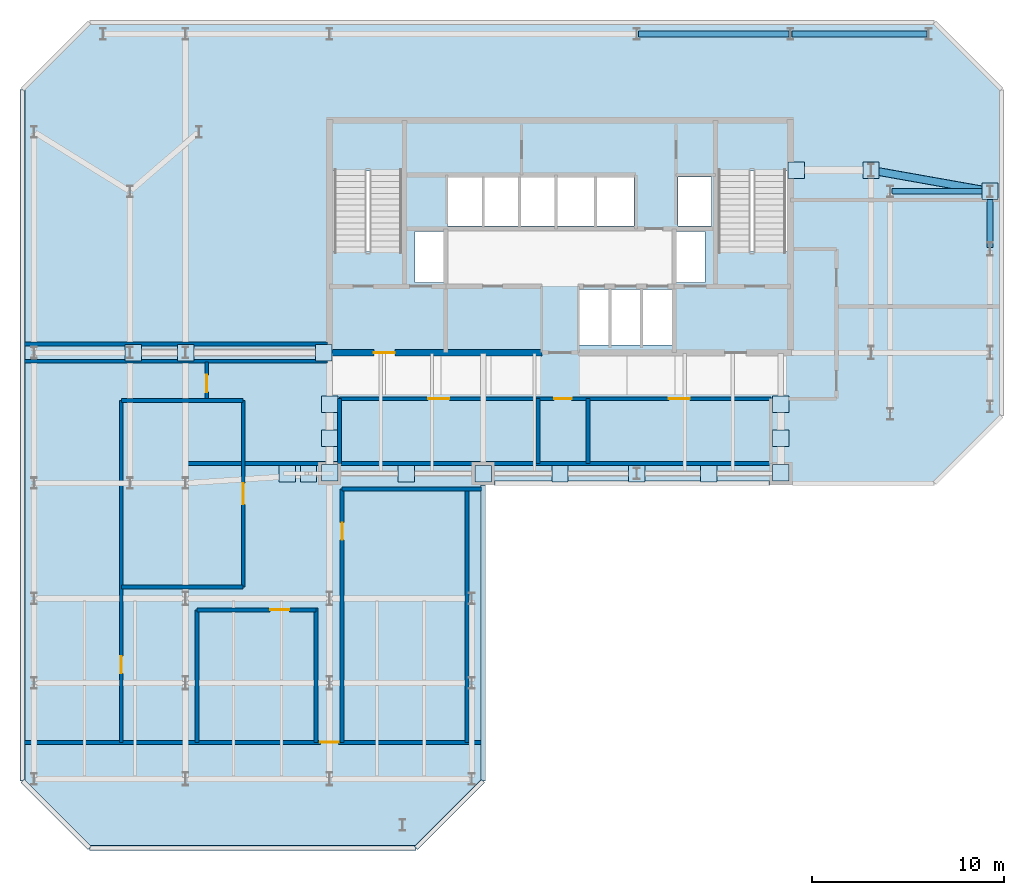
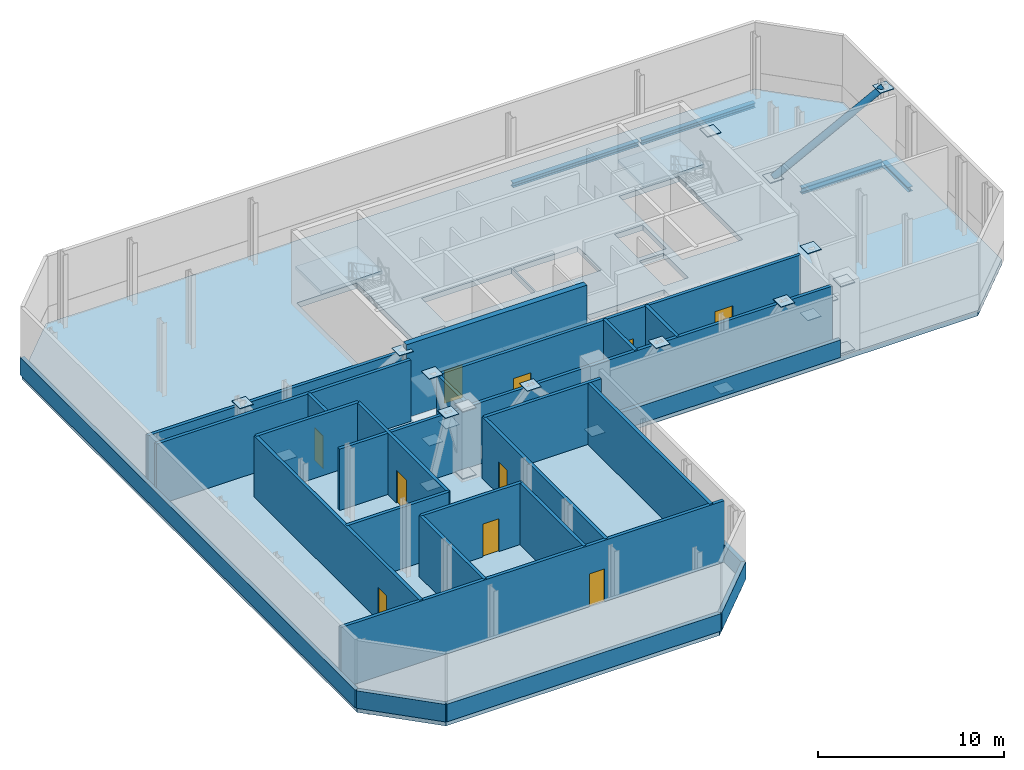
# One storey, part 4 of 9: 26 walls, 23 plates, 10 doors, 4 beams, 3 slabs, 1 member, 10 openings, 2 elements without a shape of their own.
"""IFC4 building model written with IfcOpenShell, lengths in metres."""

from ifc_helpers import new_model, si_unit, direction, frame, frame_2d, origin, origin_2d, place, context, subcontext, project, spatial, polyline, rectangle, hollow_circle, i_section, outline, extrude, material, layer, layer_set, material_profile, profile_set, type_object, element, fill, aggregate, save


model = new_model("IFC4")

# Units and contexts
model_context = context("Model", 3, precision=1e-05, world=origin(), true_north=direction((0.0, 1.0)))
body_context = subcontext(model_context, "Body", "Model", "MODEL_VIEW")
ifc_project = project(units=[si_unit("LENGTHUNIT", "METRE"), si_unit("AREAUNIT", "SQUARE_METRE"), si_unit("VOLUMEUNIT", "CUBIC_METRE"), si_unit("PLANEANGLEUNIT", "RADIAN"), si_unit("MASSUNIT", "GRAM", prefix="KILO")], contexts=[model_context])

# Site, building, storey
site_placement = place(None, origin())
site = spatial("IfcSite", under=ifc_project, at=site_placement, CompositionType="ELEMENT")
building_placement = place(site_placement, origin())
building = spatial("IfcBuilding", under=site, at=building_placement, Name="Catumbela Crestline Tower", CompositionType="ELEMENT")
storey_placement = place(building_placement, frame((0.0, 0.0, 144.0)))
storey = spatial("IfcBuildingStorey", under=building, at=storey_placement, Name="L37", CompositionType="ELEMENT", Elevation=144.0)

# Beam
ifc_material_1 = material(Name="Structural steel S355J2", Category="steel")
ifc_material_profile_1 = material_profile(ifc_material_1, i_section(OverallWidth=0.3, OverallDepth=0.39, WebThickness=0.011, FlangeThickness=0.019, FilletRadius=0.027, at=origin_2d()), Name="HEA 400")
ifc_profile_set_1 = profile_set([ifc_material_profile_1], Name="Structural steel S355J2")
beam_type_1 = type_object("IfcBeamType", Name="BG-HEA400", PredefinedType="BEAM", material=ifc_profile_set_1)
beam_1_placement = place(storey_placement, frame((45.28, 39.2, -0.545), z_axis=(1.0, 0.0, 0.0), x_axis=(0.0, 1.0, 0.0)))
element("IfcBeam", 1, at=beam_1_placement, inside=storey, type_object=beam_type_1, Name="L37 Beam BM-L37-N16", PredefinedType="BEAM", context=body_context, shape_type="SweptSolid", body=[
    extrude(i_section(OverallWidth=0.3, OverallDepth=0.39, WebThickness=0.011, FlangeThickness=0.019, FilletRadius=0.027, at=origin_2d()), origin(), (0.0, 0.0, 1.0), 5.04),
])

# Member
ifc_material_2 = material(Name="Structural steel S460M", Category="steel")
ifc_material_profile_2 = material_profile(ifc_material_2, hollow_circle(Radius=0.2032, WallThickness=0.025, at=origin_2d()), Name="CHS 406.4x25")
ifc_profile_set_2 = profile_set([ifc_material_profile_2], Name="Structural steel S460M")
member_type = type_object("IfcMemberType", Name="OB-406", PredefinedType="BRACE", material=ifc_profile_set_2)
member_placement = place(storey_placement, frame((44.2, 40.3, 0.01), z_axis=(0.805297358445, -0.142875337789, 0.575397951276), x_axis=(0.174691224621, 0.984623266047, 0.0)))
element("IfcMember", 2, at=member_placement, inside=storey, type_object=member_type, Name="L37 Outrigger and Belt Truss Diagonal OU-LE2", PredefinedType="BRACE", context=body_context, shape_type="SweptSolid", body=[
    extrude(hollow_circle(Radius=0.2032, WallThickness=0.025, at=origin_2d()), origin(), (0.0, 0.0, 1.0), 7.699),
])

# Beams
ifc_material_profile_3 = material_profile(ifc_material_1, i_section(OverallWidth=0.3, OverallDepth=0.31, WebThickness=0.009, FlangeThickness=0.0155, FilletRadius=0.027, at=origin_2d()), Name="HEA 320")
ifc_profile_set_3 = profile_set([ifc_material_profile_3], Name="Structural steel S355J2")
beam_type_2 = type_object("IfcBeamType", Name="BS-HEA320", PredefinedType="SPANDREL", material=ifc_profile_set_3)
beam_2_placement = place(storey_placement, frame((32.08, 47.4, -0.505), z_axis=(1.0, 0.0, 0.0), x_axis=(0.0, 1.0, 0.0)))
element("IfcBeam", 3, at=beam_2_placement, inside=storey, type_object=beam_type_2, Name="L37 Spandrel SP-L37-NF20", PredefinedType="SPANDREL", context=body_context, shape_type="SweptSolid", body=[
    extrude(i_section(OverallWidth=0.3, OverallDepth=0.31, WebThickness=0.009, FlangeThickness=0.0155, FilletRadius=0.027, at=origin_2d()), origin(), (0.0, 0.0, 1.0), 7.84),
])
beam_3_placement = place(storey_placement, frame((40.08, 47.4, -0.505), z_axis=(1.0, 0.0, 0.0), x_axis=(0.0, 1.0, 0.0)))
element("IfcBeam", 4, at=beam_3_placement, inside=storey, type_object=beam_type_2, Name="L37 Spandrel SP-L37-NF21", PredefinedType="SPANDREL", context=body_context, shape_type="SweptSolid", body=[
    extrude(i_section(OverallWidth=0.3, OverallDepth=0.31, WebThickness=0.009, FlangeThickness=0.0155, FilletRadius=0.027, at=origin_2d()), origin(), (0.0, 0.0, 1.0), 7.04),
])
beam_4_placement = place(storey_placement, frame((50.4, 36.28, -0.505), z_axis=(0.0, 1.0, 0.0), x_axis=(-1.0, 0.0, 0.0)))
element("IfcBeam", 5, at=beam_4_placement, inside=storey, type_object=beam_type_2, Name="L37 Spandrel SP-L37-SN36", PredefinedType="SPANDREL", context=body_context, shape_type="SweptSolid", body=[
    extrude(i_section(OverallWidth=0.3, OverallDepth=0.31, WebThickness=0.009, FlangeThickness=0.0155, FilletRadius=0.027, at=origin_2d()), origin(), (0.0, 0.0, 1.0), 2.84),
])

# Plates
ifc_layer_1 = layer(ifc_material_2, 0.04, Name="Structural steel S460M")
ifc_layer_set_1 = layer_set([ifc_layer_1], Name="Structural steel S460M")
plate_type = type_object("IfcPlateType", Name="GP-40", PredefinedType="USERDEFINED", material=ifc_layer_set_1)
for number, where, z_axis, x_axis, name in (
    (6, (16.0, 28.12, 4.4), (0.0, 0.0, 1.0), (1.0, 0.0, 0.0), "L37 Outrigger Node Gusset Plate OU-W1"),
    (7, (16.0, 24.55, 0.0), (0.0, 0.0, 1.0), (1.0, 0.0, 0.0), "L37 Outrigger Node Gusset Plate OU-W1-END"),
    (8, (16.0, 28.12, 0.0), (0.0, 0.0, 1.0), (1.0, 0.0, 0.0), "L37 Outrigger Node Gusset Plate OU-W2A"),
    (9, (16.0, 24.55, 4.4), (0.0, 0.0, 1.0), (1.0, 0.0, 0.0), "L37 Outrigger Node Gusset Plate OU-W2B-END"),
    (10, (39.5, 28.12, 4.4), (0.0, 0.0, 1.0), (1.0, 0.0, 0.0), "L37 Outrigger Node Gusset Plate OU-E1"),
    (11, (39.5, 24.55, 0.0), (0.0, 0.0, 1.0), (1.0, 0.0, 0.0), "L37 Outrigger Node Gusset Plate OU-E1-END"),
    (12, (39.5, 28.12, 0.0), (0.0, 0.0, 1.0), (1.0, 0.0, 0.0), "L37 Outrigger Node Gusset Plate OU-E2A"),
    (13, (39.5, 24.55, 4.4), (0.0, 0.0, 1.0), (1.0, 0.0, 0.0), "L37 Outrigger Node Gusset Plate OU-E2B-END"),
    (14, (15.7, 30.8, 4.4), (0.0, 0.0, 1.0), (1.0, 0.0, 0.0), "L37 Outrigger Node Gusset Plate OU-LW1"),
    (15, (8.5, 30.8, 0.0), (0.0, 0.0, 1.0), (1.0, 0.0, 0.0), "L37 Outrigger Node Gusset Plate OU-LW1-END"),
    (16, (5.78, 30.8, 4.4), (0.0, 0.0, 1.0), (1.0, 0.0, 0.0), "L37 Outrigger Node Gusset Plate OU-LW2-END"),
    (17, (40.3, 40.3, 4.4), (0.0, 0.0, 1.0), (1.0, 0.0, 0.0), "L37 Outrigger Node Gusset Plate OU-LE1"),
    (18, (44.2, 40.3, 0.0), (0.0, 0.0, 1.0), (1.0, 0.0, 0.0), "L37 Outrigger Node Gusset Plate OU-LE1-END"),
    (19, (50.4, 39.2, 4.4), (0.0, 0.0, 1.0), (1.0, 0.0, 0.0), "L37 Outrigger Node Gusset Plate OU-LE2-END"),
    (20, (13.8, 24.5, 0.0), (0.0, 0.0, 1.0), (1.0, 0.0, 0.0), "L37 Outrigger Node Gusset Plate BT-S1"),
    (21, (14.9, 24.5, 4.4), (0.0, 0.0, 1.0), (1.0, 0.0, 0.0), "L37 Outrigger Node Gusset Plate BT-S1-END"),
    (22, (20.0, 24.5, 4.4), (0.0, 0.0, 1.0), (1.0, 0.0, 0.0), "L37 Outrigger Node Gusset Plate BT-S3-END"),
    (23, (24.0, 24.5, 0.0), (0.0, 0.0, 1.0), (1.0, 0.0, 0.0), "L37 Outrigger Node Gusset Plate BT-S4-END"),
    (24, (28.0, 24.5, 4.4), (0.0, 0.0, 1.0), (1.0, 0.0, 0.0), "L37 Outrigger Node Gusset Plate BT-S5-END"),
    (25, (32.0, 24.5, 0.0), (0.0, 0.0, 1.0), (1.0, 0.0, 0.0), "L37 Outrigger Node Gusset Plate BT-S6-END"),
    (26, (35.75, 24.5, 4.4), (0.0, 0.0, 1.0), (1.0, 0.0, 0.0), "L37 Outrigger Node Gusset Plate BT-S7-END"),
    (27, (16.0, 26.335, 2.205), (0.0, 0.0, 1.0), (1.0, 0.0, 0.0), "L37 Outrigger X-Brace Crossing Gusset Plate WX"),
    (28, (39.5, 26.335, 2.205), (0.0, 0.0, 1.0), (1.0, 0.0, 0.0), "L37 Outrigger X-Brace Crossing Gusset Plate EX"),
):
    element("IfcPlate", number, at=place(storey_placement, frame(where, z_axis=z_axis, x_axis=x_axis)), inside=storey, type_object=plate_type, Name=name, ObjectType="GUSSET", PredefinedType="USERDEFINED", context=body_context, shape_type="SweptSolid", body=[
        extrude(rectangle(XDim=0.85, YDim=0.85, at=origin_2d()), origin(), (0.0, 0.0, 1.0), 0.04),
    ])

# Stair, slab
ifc_material_3 = material(Name="Concrete C45/55", Category="concrete")
stair_type = type_object("IfcStairType", Name="ST-DLG", PredefinedType="HALF_TURN_STAIR", material=ifc_material_3)
stair_1_placement = place(storey_placement, origin())
stair_1 = element("IfcStair", 29, at=stair_1_placement, inside=storey, type_object=stair_type, Name="L37 West Core Pressurised Exit Stair ST-01", PredefinedType="HALF_TURN_STAIR")
ifc_layer_2 = layer(ifc_material_3, 0.2, Name="Concrete C45/55")
ifc_layer_set_2 = layer_set([ifc_layer_2], Name="Concrete C45/55")
slab_type_1 = type_object("IfcSlabType", Name="SL-LND", PredefinedType="LANDING", material=ifc_layer_set_2)
slab_1_placement = place(storey_placement, frame((0.0, 0.0, 2.2)))
slab_1 = element("IfcSlab", 30, at=slab_1_placement, type_object=slab_type_1, Name="ST-01 landing 1", PredefinedType="LANDING", context=body_context, shape_type="SweptSolid", body=[
    extrude(outline(polyline([(19.91, 40.26), (19.91, 42.96), (16.09, 42.96), (16.09, 40.26), (19.91, 40.26)])), origin(), (0.0, 0.0, 1.0), 0.2),
])
aggregate(stair_1, [slab_1])

stair_2_placement = place(storey_placement, origin())
stair_2 = element("IfcStair", 31, at=stair_2_placement, inside=storey, type_object=stair_type, Name="L37 East Core Pressurised Exit Stair ST-02", PredefinedType="HALF_TURN_STAIR")
slab_2_placement = place(storey_placement, frame((0.0, 0.0, 2.2)))
slab_2 = element("IfcSlab", 32, at=slab_2_placement, type_object=slab_type_1, Name="ST-02 landing 1", PredefinedType="LANDING", context=body_context, shape_type="SweptSolid", body=[
    extrude(outline(polyline([(39.91, 40.26), (39.91, 42.96), (36.09, 42.96), (36.09, 40.26), (39.91, 40.26)])), origin(), (0.0, 0.0, 1.0), 0.2),
])
aggregate(stair_2, [slab_2])

# Slab
ifc_material_4 = material(Name="Concrete C50/60", Category="concrete")
ifc_layer_3 = layer(ifc_material_4, 0.35, Name="Concrete C50/60")
ifc_layer_set_3 = layer_set([ifc_layer_3], Name="Concrete C50/60")
slab_type_2 = type_object("IfcSlabType", Name="SL-350M", PredefinedType="FLOOR", material=ifc_layer_set_3)
slab_3_placement = place(storey_placement, frame((0.0, 0.0, -0.35)))
element("IfcSlab", 33, at=slab_3_placement, inside=storey, type_object=slab_type_2, Name="L37 Structural Floor Slab", PredefinedType="FLOOR", context=body_context, shape_type="SweptSolid", body=[
    extrude(outline(polyline([(3.5, 5.0), (20.5, 5.0), (24.0, 8.5), (24.0, 24.0), (47.5, 24.0), (51.0, 27.5), (51.0, 44.5), (47.5, 48.0), (3.5, 48.0), (0.0, 44.5), (0.0, 8.5), (3.5, 5.0)]), holes=[polyline([(16.13, 36.08), (19.87, 36.08), (19.87, 42.92), (16.13, 42.92), (16.13, 36.08)]), polyline([(36.13, 36.08), (39.87, 36.08), (39.87, 42.92), (36.13, 42.92), (36.13, 36.08)]), polyline([(29.0, 31.2), (33.85, 31.2), (33.85, 34.1), (29.0, 34.1), (29.0, 31.2)]), polyline([(22.15, 37.4), (27.75, 37.4), (27.75, 39.95), (22.15, 39.95), (22.15, 37.4)]), polyline([(27.85, 37.4), (31.85, 37.4), (31.85, 39.95), (27.85, 39.95), (27.85, 37.4)]), polyline([(20.45, 34.45), (21.95, 34.45), (21.95, 37.1), (20.45, 37.1), (20.45, 34.45)]), polyline([(34.05, 34.45), (35.55, 34.45), (35.55, 37.1), (34.05, 37.1), (34.05, 34.45)]), polyline([(34.15, 37.4), (35.9, 37.4), (35.9, 39.95), (34.15, 39.95), (34.15, 37.4)])]), origin(), (0.0, 0.0, 1.0), 0.35),
])

# Wall, opening, door
ifc_layer_4 = layer(ifc_material_4, 0.35, Name="Concrete C50/60")
ifc_layer_set_4 = layer_set([ifc_layer_4], Name="Concrete C50/60")
wall_type_1 = type_object("IfcWallType", Name="CW-350B", PredefinedType="SHEAR", material=ifc_layer_set_4)
wall_1_placement = place(storey_placement, frame((15.85, 30.8, 0.0), z_axis=(0.0, 0.0, 1.0), x_axis=(1.0, 0.0, 0.0)))
wall_1 = element("IfcWall", 34, at=wall_1_placement, inside=storey, type_object=wall_type_1, Name="L37 Structural Core Shear Wall SW", PredefinedType="SHEAR", context=body_context, shape_type="SweptSolid", body=[
    extrude(rectangle(XDim=11.2, YDim=0.35, at=frame_2d((5.6, 0.0))), origin(), (0.0, 0.0, 1.0), 4.8),
])
opening_1_placement = place(wall_1_placement, frame((2.45, 0.0, 0.0)))
opening_1 = element("IfcOpeningElement", 35, at=opening_1_placement, cuts=wall_1, Name="Opening DF9-110", PredefinedType="OPENING", context=body_context, shape_type="SweptSolid", body=[
    extrude(rectangle(XDim=1.1, YDim=2.15, at=frame_2d((0.55, 1.075))), frame((0.0, 0.185, 0.0), z_axis=(0.0, -1.0, 0.0), x_axis=(1.0, 0.0, 0.0)), (0.0, 0.0, 1.0), 0.37),
])
ifc_material_5 = material(Name="Stainless steel EN 1.4401", Category="steel")
door_type_1 = type_object("IfcDoorType", Name="DF9-110", OperationType="NOTDEFINED", PredefinedType="DOOR", material=ifc_material_5)
door_1_placement = place(opening_1_placement, origin())
door_1 = element("IfcDoor", 36, at=door_1_placement, inside=storey, type_object=door_type_1, Name="L37 Interior Door DR-L37-FFW-S", OperationType="SINGLE_SWING_LEFT", OverallHeight=2.15, OverallWidth=1.1, PredefinedType="DOOR", context=body_context, shape_type="SweptSolid", body=[
    extrude(rectangle(XDim=1.1, YDim=2.15, at=frame_2d((0.55, 1.075))), frame((0.0, 0.025, 0.0), z_axis=(0.0, -1.0, 0.0), x_axis=(1.0, 0.0, 0.0)), (0.0, 0.0, 1.0), 0.05),
])
fill(opening_1, door_1)

# Walls
ifc_material_6 = material(Name="Acoustic gypsum and mineral-wool partition")
ifc_layer_5 = layer(ifc_material_6, 0.2, Name="Acoustic gypsum and mineral-wool partition")
ifc_layer_set_5 = layer_set([ifc_layer_5], Name="Acoustic gypsum and mineral-wool partition")
wall_type_2 = type_object("IfcWallType", Name="WC-200", PredefinedType="PARTITIONING", material=ifc_layer_set_5)
wall_2_placement = place(storey_placement, frame((8.4, 25.02, 0.0), z_axis=(0.0, 0.0, 1.0), x_axis=(1.0, 0.0, 0.0)))
element("IfcWall", 37, at=wall_2_placement, inside=storey, type_object=wall_type_2, Name="L37 Interior Partition PW-L37-BTCAV-N", PredefinedType="PARTITIONING", context=body_context, shape_type="SweptSolid", body=[
    extrude(rectangle(XDim=30.6, YDim=0.2, at=frame_2d((15.3, 0.0))), origin(), (0.0, 0.0, 1.0), 4.02),
])
wall_3_placement = place(storey_placement, frame((16.52, 25.02, 0.0), z_axis=(0.0, 0.0, 1.0), x_axis=(0.0, 1.0, 0.0)))
element("IfcWall", 38, at=wall_3_placement, inside=storey, type_object=wall_type_2, Name="L37 Interior Partition PW-L37-OUWCAV-E", PredefinedType="PARTITIONING", context=body_context, shape_type="SweptSolid", body=[
    extrude(rectangle(XDim=3.38, YDim=0.2, at=frame_2d((1.69, 0.0))), origin(), (0.0, 0.0, 1.0), 4.02),
])
for number, where, z_axis, x_axis, name in (
    (39, (0.1, 30.35, 0.0), (0.0, 0.0, 1.0), (1.0, 0.0, 0.0), "L37 Interior Partition PW-L37-OULWCAV-S"),
    (40, (0.1, 31.25, 0.0), (0.0, 0.0, 1.0), (1.0, 0.0, 0.0), "L37 Interior Partition PW-L37-OULWCAV-N"),
):
    element("IfcWall", number, at=place(storey_placement, frame(where, z_axis=z_axis, x_axis=x_axis)), inside=storey, type_object=wall_type_2, Name=name, PredefinedType="PARTITIONING", context=body_context, shape_type="SweptSolid", body=[
        extrude(rectangle(XDim=15.8, YDim=0.2, at=frame_2d((7.9, 0.0))), origin(), (0.0, 0.0, 1.0), 4.02),
    ])
for number, where, z_axis, x_axis, name in (
    (41, (26.85, 25.02, 0.0), (0.0, 0.0, 1.0), (0.0, 1.0, 0.0), "L37 Interior Partition PW-L37-REFW-E"),
    (42, (29.45, 25.02, 0.0), (0.0, 0.0, 1.0), (0.0, 1.0, 0.0), "L37 Interior Partition PW-L37-REFE-W"),
):
    element("IfcWall", number, at=place(storey_placement, frame(where, z_axis=z_axis, x_axis=x_axis)), inside=storey, type_object=wall_type_2, Name=name, PredefinedType="PARTITIONING", context=body_context, shape_type="SweptSolid", body=[
        extrude(rectangle(XDim=3.38, YDim=0.2, at=frame_2d((1.69, 0.0))), origin(), (0.0, 0.0, 1.0), 4.02),
    ])

# Wall, openings, doors
wall_4_placement = place(storey_placement, frame((16.52, 28.4, 0.0), z_axis=(0.0, 0.0, 1.0), x_axis=(1.0, 0.0, 0.0)))
wall_4 = element("IfcWall", 43, at=wall_4_placement, inside=storey, type_object=wall_type_2, Name="L37 Interior Partition PW-L37-REFW", PredefinedType="PARTITIONING", context=body_context, shape_type="SweptSolid", body=[
    extrude(rectangle(XDim=22.46, YDim=0.2, at=frame_2d((11.23, 0.0))), origin(), (0.0, 0.0, 1.0), 4.02),
])
opening_2_placement = place(wall_4_placement, frame((4.615, 0.0, 0.0)))
opening_2 = element("IfcOpeningElement", 44, at=opening_2_placement, cuts=wall_4, Name="Opening DF9-110", PredefinedType="OPENING", context=body_context, shape_type="SweptSolid", body=[
    extrude(rectangle(XDim=1.1, YDim=2.15, at=frame_2d((0.55, 1.075))), frame((0.0, 0.11, 0.0), z_axis=(0.0, -1.0, 0.0), x_axis=(1.0, 0.0, 0.0)), (0.0, 0.0, 1.0), 0.22),
])
opening_3_placement = place(wall_4_placement, frame((11.18, 0.0, 0.0)))
opening_3 = element("IfcOpeningElement", 45, at=opening_3_placement, cuts=wall_4, Name="Opening DF9-090", PredefinedType="OPENING", context=body_context, shape_type="SweptSolid", body=[
    extrude(rectangle(XDim=0.9, YDim=2.15, at=frame_2d((0.45, 1.075))), frame((0.0, 0.11, 0.0), z_axis=(0.0, -1.0, 0.0), x_axis=(1.0, 0.0, 0.0)), (0.0, 0.0, 1.0), 0.22),
])
opening_4_placement = place(wall_4_placement, frame((17.145, 0.0, 0.0)))
opening_4 = element("IfcOpeningElement", 46, at=opening_4_placement, cuts=wall_4, Name="Opening DF9-110", PredefinedType="OPENING", context=body_context, shape_type="SweptSolid", body=[
    extrude(rectangle(XDim=1.1, YDim=2.15, at=frame_2d((0.55, 1.075))), frame((0.0, 0.11, 0.0), z_axis=(0.0, -1.0, 0.0), x_axis=(1.0, 0.0, 0.0)), (0.0, 0.0, 1.0), 0.22),
])
door_type_2 = type_object("IfcDoorType", Name="DF9-090", OperationType="NOTDEFINED", PredefinedType="DOOR", material=ifc_material_5)
door_2_placement = place(opening_3_placement, origin())
door_2 = element("IfcDoor", 47, at=door_2_placement, inside=storey, type_object=door_type_2, Name="L37 Interior Door DR-L37-CHIL1", OperationType="SINGLE_SWING_LEFT", OverallHeight=2.15, OverallWidth=0.9, PredefinedType="DOOR", context=body_context, shape_type="SweptSolid", body=[
    extrude(rectangle(XDim=0.9, YDim=2.15, at=frame_2d((0.45, 1.075))), frame((0.0, 0.025, 0.0), z_axis=(0.0, -1.0, 0.0), x_axis=(1.0, 0.0, 0.0)), (0.0, 0.0, 1.0), 0.05),
])
fill(opening_3, door_2)
door_3_placement = place(opening_2_placement, origin())
door_3 = element("IfcDoor", 48, at=door_3_placement, inside=storey, type_object=door_type_1, Name="L37 Interior Door DR-L37-REFW", OperationType="SINGLE_SWING_LEFT", OverallHeight=2.15, OverallWidth=1.1, PredefinedType="DOOR", context=body_context, shape_type="SweptSolid", body=[
    extrude(rectangle(XDim=1.1, YDim=2.15, at=frame_2d((0.55, 1.075))), frame((0.0, 0.025, 0.0), z_axis=(0.0, -1.0, 0.0), x_axis=(1.0, 0.0, 0.0)), (0.0, 0.0, 1.0), 0.05),
])
fill(opening_2, door_3)
door_4_placement = place(opening_4_placement, origin())
door_4 = element("IfcDoor", 49, at=door_4_placement, inside=storey, type_object=door_type_1, Name="L37 Interior Door DR-L37-REFE", OperationType="SINGLE_SWING_RIGHT", OverallHeight=2.15, OverallWidth=1.1, PredefinedType="DOOR", context=body_context, shape_type="SweptSolid", body=[
    extrude(rectangle(XDim=1.1, YDim=2.15, at=frame_2d((0.55, 1.075))), frame((0.0, 0.025, 0.0), z_axis=(0.0, -1.0, 0.0), x_axis=(1.0, 0.0, 0.0)), (0.0, 0.0, 1.0), 0.05),
])
fill(opening_4, door_4)

# Walls
for number, where, z_axis, x_axis, name in (
    (50, (5.15, 28.3, 0.0), (0.0, 0.0, 1.0), (1.0, 0.0, 0.0), "L37 Interior Partition PW-L37-REFS1-N"),
    (51, (5.15, 18.6, 0.0), (0.0, 0.0, 1.0), (1.0, 0.0, 0.0), "L37 Interior Partition PW-L37-REFS1-S"),
):
    element("IfcWall", number, at=place(storey_placement, frame(where, z_axis=z_axis, x_axis=x_axis)), inside=storey, type_object=wall_type_2, Name=name, PredefinedType="PARTITIONING", context=body_context, shape_type="SweptSolid", body=[
        extrude(rectangle(XDim=6.35, YDim=0.2, at=frame_2d((3.175, 0.0))), origin(), (0.0, 0.0, 1.0), 4.02),
    ])

# Wall, opening, door
wall_5_placement = place(storey_placement, frame((5.15, 10.5, 0.0), z_axis=(0.0, 0.0, 1.0), x_axis=(0.0, 1.0, 0.0)))
wall_5 = element("IfcWall", 52, at=wall_5_placement, inside=storey, type_object=wall_type_2, Name="L37 Interior Partition PW-L37-REFS1-W", PredefinedType="PARTITIONING", context=body_context, shape_type="SweptSolid", body=[
    extrude(rectangle(XDim=17.8, YDim=0.2, at=frame_2d((8.9, 0.0))), origin(), (0.0, 0.0, 1.0), 4.02),
])
opening_5_placement = place(wall_5_placement, frame((3.6, 0.0, 0.0)))
opening_5 = element("IfcOpeningElement", 53, at=opening_5_placement, cuts=wall_5, Name="Opening DF9-090", PredefinedType="OPENING", context=body_context, shape_type="SweptSolid", body=[
    extrude(rectangle(XDim=0.9, YDim=2.15, at=frame_2d((0.45, 1.075))), frame((0.0, 0.11, 0.0), z_axis=(0.0, -1.0, 0.0), x_axis=(1.0, 0.0, 0.0)), (0.0, 0.0, 1.0), 0.22),
])
door_5_placement = place(opening_5_placement, origin())
door_5 = element("IfcDoor", 54, at=door_5_placement, inside=storey, type_object=door_type_2, Name="L37 Interior Door DR-L37-WPL1", OperationType="SINGLE_SWING_LEFT", OverallHeight=2.15, OverallWidth=0.9, PredefinedType="DOOR", context=body_context, shape_type="SweptSolid", body=[
    extrude(rectangle(XDim=0.9, YDim=2.15, at=frame_2d((0.45, 1.075))), frame((0.0, 0.025, 0.0), z_axis=(0.0, -1.0, 0.0), x_axis=(1.0, 0.0, 0.0)), (0.0, 0.0, 1.0), 0.05),
])
fill(opening_5, door_5)

wall_6_placement = place(storey_placement, frame((11.5, 18.6, 0.0), z_axis=(0.0, 0.0, 1.0), x_axis=(0.0, 1.0, 0.0)))
wall_6 = element("IfcWall", 55, at=wall_6_placement, inside=storey, type_object=wall_type_2, Name="L37 Interior Partition PW-L37-REFS1-E", PredefinedType="PARTITIONING", context=body_context, shape_type="SweptSolid", body=[
    extrude(rectangle(XDim=9.7, YDim=0.2, at=frame_2d((4.85, 0.0))), origin(), (0.0, 0.0, 1.0), 4.02),
])
opening_6_placement = place(wall_6_placement, frame((4.3, 0.0, 0.0)))
opening_6 = element("IfcOpeningElement", 56, at=opening_6_placement, cuts=wall_6, Name="Opening DF9-110", PredefinedType="OPENING", context=body_context, shape_type="SweptSolid", body=[
    extrude(rectangle(XDim=1.1, YDim=2.15, at=frame_2d((0.55, 1.075))), frame((0.0, 0.11, 0.0), z_axis=(0.0, -1.0, 0.0), x_axis=(1.0, 0.0, 0.0)), (0.0, 0.0, 1.0), 0.22),
])
door_6_placement = place(opening_6_placement, origin())
door_6 = element("IfcDoor", 57, at=door_6_placement, inside=storey, type_object=door_type_1, Name="L37 Interior Door DR-L37-REFS1", OperationType="SINGLE_SWING_LEFT", OverallHeight=2.15, OverallWidth=1.1, PredefinedType="DOOR", context=body_context, shape_type="SweptSolid", body=[
    extrude(rectangle(XDim=1.1, YDim=2.15, at=frame_2d((0.55, 1.075))), frame((0.0, 0.025, 0.0), z_axis=(0.0, -1.0, 0.0), x_axis=(1.0, 0.0, 0.0)), (0.0, 0.0, 1.0), 0.05),
])
fill(opening_6, door_6)

# Walls
wall_7_placement = place(storey_placement, frame((16.65, 23.7, 0.0), z_axis=(0.0, 0.0, 1.0), x_axis=(1.0, 0.0, 0.0)))
element("IfcWall", 58, at=wall_7_placement, inside=storey, type_object=wall_type_2, Name="L37 Interior Partition PW-L37-REFS2-N", PredefinedType="PARTITIONING", context=body_context, shape_type="SweptSolid", body=[
    extrude(rectangle(XDim=7.25, YDim=0.2, at=frame_2d((3.625, 0.0))), origin(), (0.0, 0.0, 1.0), 4.02),
])
wall_8_placement = place(storey_placement, frame((23.15, 10.5, 0.0), z_axis=(0.0, 0.0, 1.0), x_axis=(0.0, 1.0, 0.0)))
element("IfcWall", 59, at=wall_8_placement, inside=storey, type_object=wall_type_2, Name="L37 Interior Partition PW-L37-REFS2-E", PredefinedType="PARTITIONING", context=body_context, shape_type="SweptSolid", body=[
    extrude(rectangle(XDim=13.2, YDim=0.2, at=frame_2d((6.6, 0.0))), origin(), (0.0, 0.0, 1.0), 4.02),
])

# Wall, opening, door
wall_9_placement = place(storey_placement, frame((0.1, 10.5, 0.0), z_axis=(0.0, 0.0, 1.0), x_axis=(1.0, 0.0, 0.0)))
wall_9 = element("IfcWall", 60, at=wall_9_placement, inside=storey, type_object=wall_type_2, Name="L37 Interior Partition PW-L37-REFS2-S", PredefinedType="PARTITIONING", context=body_context, shape_type="SweptSolid", body=[
    extrude(rectangle(XDim=23.8, YDim=0.2, at=frame_2d((11.9, 0.0))), origin(), (0.0, 0.0, 1.0), 4.02),
])
opening_7_placement = place(wall_9_placement, frame((15.425, 0.0, 0.0)))
opening_7 = element("IfcOpeningElement", 61, at=opening_7_placement, cuts=wall_9, Name="Opening DF6-095", PredefinedType="OPENING", context=body_context, shape_type="SweptSolid", body=[
    extrude(rectangle(XDim=0.95, YDim=2.15, at=frame_2d((0.475, 1.075))), frame((0.0, 0.11, 0.0), z_axis=(0.0, -1.0, 0.0), x_axis=(1.0, 0.0, 0.0)), (0.0, 0.0, 1.0), 0.22),
])
ifc_material_7 = material(Name="Aluminium alloy AW-6060-T66", Category="aluminium")
door_type_3 = type_object("IfcDoorType", Name="DF6-095", OperationType="NOTDEFINED", PredefinedType="DOOR", material=ifc_material_7)
door_7_placement = place(opening_7_placement, origin())
door_7 = element("IfcDoor", 62, at=door_7_placement, inside=storey, type_object=door_type_3, Name="L37 Interior Door DR-L37-TRFM-ENT", OperationType="SINGLE_SWING_RIGHT", OverallHeight=2.15, OverallWidth=0.95, PredefinedType="DOOR", context=body_context, shape_type="SweptSolid", body=[
    extrude(rectangle(XDim=0.95, YDim=2.15, at=frame_2d((0.475, 1.075))), frame((0.0, 0.025, 0.0), z_axis=(0.0, -1.0, 0.0), x_axis=(1.0, 0.0, 0.0)), (0.0, 0.0, 1.0), 0.05),
])
fill(opening_7, door_7)

wall_10_placement = place(storey_placement, frame((16.65, 10.5, 0.0), z_axis=(0.0, 0.0, 1.0), x_axis=(0.0, 1.0, 0.0)))
wall_10 = element("IfcWall", 63, at=wall_10_placement, inside=storey, type_object=wall_type_2, Name="L37 Interior Partition PW-L37-REFS2-W1", PredefinedType="PARTITIONING", context=body_context, shape_type="SweptSolid", body=[
    extrude(rectangle(XDim=13.2, YDim=0.2, at=frame_2d((6.6, 0.0))), origin(), (0.0, 0.0, 1.0), 4.02),
])
opening_8_placement = place(wall_10_placement, frame((10.55, 0.0, 0.0)))
opening_8 = element("IfcOpeningElement", 64, at=opening_8_placement, cuts=wall_10, Name="Opening DF9-090", PredefinedType="OPENING", context=body_context, shape_type="SweptSolid", body=[
    extrude(rectangle(XDim=0.9, YDim=2.15, at=frame_2d((0.45, 1.075))), frame((0.0, 0.11, 0.0), z_axis=(0.0, -1.0, 0.0), x_axis=(1.0, 0.0, 0.0)), (0.0, 0.0, 1.0), 0.22),
])
door_8_placement = place(opening_8_placement, origin())
door_8 = element("IfcDoor", 65, at=door_8_placement, inside=storey, type_object=door_type_2, Name="L37 Interior Door DR-L37-REFS2", OperationType="SINGLE_SWING_RIGHT", OverallHeight=2.15, OverallWidth=0.9, PredefinedType="DOOR", context=body_context, shape_type="SweptSolid", body=[
    extrude(rectangle(XDim=0.9, YDim=2.15, at=frame_2d((0.45, 1.075))), frame((0.0, 0.025, 0.0), z_axis=(0.0, -1.0, 0.0), x_axis=(1.0, 0.0, 0.0)), (0.0, 0.0, 1.0), 0.05),
])
fill(opening_8, door_8)

# Walls
wall_11_placement = place(storey_placement, frame((9.1, 10.5, 0.0), z_axis=(0.0, 0.0, 1.0), x_axis=(0.0, 1.0, 0.0)))
element("IfcWall", 66, at=wall_11_placement, inside=storey, type_object=wall_type_2, Name="L37 Interior Partition PW-L37-REFS3-W", PredefinedType="PARTITIONING", context=body_context, shape_type="SweptSolid", body=[
    extrude(rectangle(XDim=6.9, YDim=0.2, at=frame_2d((3.45, 0.0))), origin(), (0.0, 0.0, 1.0), 4.02),
])
wall_12_placement = place(storey_placement, frame((15.3, 10.5, 0.0), z_axis=(0.0, 0.0, 1.0), x_axis=(0.0, 1.0, 0.0)))
element("IfcWall", 67, at=wall_12_placement, inside=storey, type_object=wall_type_2, Name="L37 Interior Partition PW-L37-REFS3-E", PredefinedType="PARTITIONING", context=body_context, shape_type="SweptSolid", body=[
    extrude(rectangle(XDim=7.0, YDim=0.2, at=frame_2d((3.5, 0.0))), origin(), (0.0, 0.0, 1.0), 4.02),
])

# Wall, opening, door
wall_13_placement = place(storey_placement, frame((9.1, 17.4, 0.0), z_axis=(0.0, 0.0, 1.0), x_axis=(1.0, 0.0, 0.0)))
wall_13 = element("IfcWall", 68, at=wall_13_placement, inside=storey, type_object=wall_type_2, Name="L37 Interior Partition PW-L37-REFS3-N", PredefinedType="PARTITIONING", context=body_context, shape_type="SweptSolid", body=[
    extrude(rectangle(XDim=6.2, YDim=0.2, at=frame_2d((3.1, 0.0))), origin(), (0.0, 0.0, 1.0), 4.02),
])
opening_9_placement = place(wall_13_placement, frame((3.8, 0.0, 0.0)))
opening_9 = element("IfcOpeningElement", 69, at=opening_9_placement, cuts=wall_13, Name="Opening DF9-100", PredefinedType="OPENING", context=body_context, shape_type="SweptSolid", body=[
    extrude(rectangle(XDim=1.0, YDim=2.15, at=frame_2d((0.5, 1.075))), frame((0.0, 0.11, 0.0), z_axis=(0.0, -1.0, 0.0), x_axis=(1.0, 0.0, 0.0)), (0.0, 0.0, 1.0), 0.22),
])
door_type_4 = type_object("IfcDoorType", Name="DF9-100", OperationType="NOTDEFINED", PredefinedType="DOOR", material=ifc_material_5)
door_9_placement = place(opening_9_placement, origin())
door_9 = element("IfcDoor", 70, at=door_9_placement, inside=storey, type_object=door_type_4, Name="L37 Interior Door DR-L37-REFS3", OperationType="SINGLE_SWING_RIGHT", OverallHeight=2.15, OverallWidth=1.0, PredefinedType="DOOR", context=body_context, shape_type="SweptSolid", body=[
    extrude(rectangle(XDim=1.0, YDim=2.15, at=frame_2d((0.5, 1.075))), frame((0.0, 0.025, 0.0), z_axis=(0.0, -1.0, 0.0), x_axis=(1.0, 0.0, 0.0)), (0.0, 0.0, 1.0), 0.05),
])
fill(opening_9, door_9)

wall_14_placement = place(storey_placement, frame((9.6, 28.4, 0.0), z_axis=(0.0, 0.0, 1.0), x_axis=(0.0, 1.0, 0.0)))
wall_14 = element("IfcWall", 71, at=wall_14_placement, inside=storey, type_object=wall_type_2, Name="L37 Interior Partition PW-L37-NWP", PredefinedType="PARTITIONING", context=body_context, shape_type="SweptSolid", body=[
    extrude(rectangle(XDim=1.92, YDim=0.2, at=frame_2d((0.96, 0.0))), origin(), (0.0, 0.0, 1.0), 4.02),
])
opening_10_placement = place(wall_14_placement, frame((0.348, 0.0, 0.0)))
opening_10 = element("IfcOpeningElement", 72, at=opening_10_placement, cuts=wall_14, Name="Opening DF9-090", PredefinedType="OPENING", context=body_context, shape_type="SweptSolid", body=[
    extrude(rectangle(XDim=0.9, YDim=2.15, at=frame_2d((0.45, 1.075))), frame((0.0, 0.11, 0.0), z_axis=(0.0, -1.0, 0.0), x_axis=(1.0, 0.0, 0.0)), (0.0, 0.0, 1.0), 0.22),
])
door_10_placement = place(opening_10_placement, origin())
door_10 = element("IfcDoor", 73, at=door_10_placement, inside=storey, type_object=door_type_2, Name="L37 Interior Door DR-L37-NWP", OperationType="SINGLE_SWING_LEFT", OverallHeight=2.15, OverallWidth=0.9, PredefinedType="DOOR", context=body_context, shape_type="SweptSolid", body=[
    extrude(rectangle(XDim=0.9, YDim=2.15, at=frame_2d((0.45, 1.075))), frame((0.0, 0.025, 0.0), z_axis=(0.0, -1.0, 0.0), x_axis=(1.0, 0.0, 0.0)), (0.0, 0.0, 1.0), 0.05),
])
fill(opening_10, door_10)

# Walls
ifc_material_8 = material(Name="Angolan grey-ochre granite", Category="masonry")
ifc_layer_6 = layer(ifc_material_8, 0.25, Name="Angolan grey-ochre granite")
ifc_layer_set_6 = layer_set([ifc_layer_6], Name="Angolan grey-ochre granite")
wall_type_3 = type_object("IfcWallType", Name="WE-250", PredefinedType="STANDARD", material=ifc_layer_set_6)
wall_15_placement = place(storey_placement, frame((3.5, 5.0, 0.0), z_axis=(0.0, 0.0, 1.0), x_axis=(1.0, 0.0, 0.0)))
element("IfcWall", 74, at=wall_15_placement, inside=storey, type_object=wall_type_3, Name="L37 Mechanical Spandrel Upstand Wall 0-1", PredefinedType="STANDARD", context=body_context, shape_type="SweptSolid", body=[
    extrude(rectangle(XDim=17.0, YDim=0.25, at=frame_2d((8.5, 0.0))), origin(), (0.0, 0.0, 1.0), 1.15),
])
wall_16_placement = place(storey_placement, frame((20.5, 5.0, 0.0), z_axis=(0.0, 0.0, 1.0), x_axis=(0.707106781187, 0.707106781187, 0.0)))
element("IfcWall", 75, at=wall_16_placement, inside=storey, type_object=wall_type_3, Name="L37 Mechanical Spandrel Upstand Wall 1-1", PredefinedType="STANDARD", context=body_context, shape_type="SweptSolid", body=[
    extrude(rectangle(XDim=4.9497, YDim=0.25, at=frame_2d((2.4748, 0.0))), origin(), (0.0, 0.0, 1.0), 1.15),
])
wall_17_placement = place(storey_placement, frame((24.0, 8.5, 0.0), z_axis=(0.0, 0.0, 1.0), x_axis=(0.0, 1.0, 0.0)))
element("IfcWall", 76, at=wall_17_placement, inside=storey, type_object=wall_type_3, Name="L37 Mechanical Spandrel Upstand Wall 2-1", PredefinedType="STANDARD", context=body_context, shape_type="SweptSolid", body=[
    extrude(rectangle(XDim=15.4, YDim=0.25, at=frame_2d((7.7, 0.0))), origin(), (0.0, 0.0, 1.0), 1.15),
])
wall_18_placement = place(storey_placement, frame((24.6, 24.0, 0.0), z_axis=(0.0, 0.0, 1.0), x_axis=(1.0, 0.0, 0.0)))
element("IfcWall", 77, at=wall_18_placement, inside=storey, type_object=wall_type_3, Name="L37 Mechanical Spandrel Upstand Wall 3-1", PredefinedType="STANDARD", context=body_context, shape_type="SweptSolid", body=[
    extrude(rectangle(XDim=14.3, YDim=0.25, at=frame_2d((7.15, 0.0))), origin(), (0.0, 0.0, 1.0), 1.15),
])
wall_19_placement = place(storey_placement, frame((0.0, 44.5, 0.0), z_axis=(0.0, 0.0, 1.0), x_axis=(0.0, -1.0, 0.0)))
element("IfcWall", 78, at=wall_19_placement, inside=storey, type_object=wall_type_3, Name="L37 Mechanical Spandrel Upstand Wall 9-1", PredefinedType="STANDARD", context=body_context, shape_type="SweptSolid", body=[
    extrude(rectangle(XDim=36.0, YDim=0.25, at=frame_2d((18.0, 0.0))), origin(), (0.0, 0.0, 1.0), 1.15),
])
wall_20_placement = place(storey_placement, frame((0.0, 8.5, 0.0), z_axis=(0.0, 0.0, 1.0), x_axis=(0.707106781187, -0.707106781187, 0.0)))
element("IfcWall", 79, at=wall_20_placement, inside=storey, type_object=wall_type_3, Name="L37 Mechanical Spandrel Upstand Wall 10-1", PredefinedType="STANDARD", context=body_context, shape_type="SweptSolid", body=[
    extrude(rectangle(XDim=4.9497, YDim=0.25, at=frame_2d((2.4748, 0.0))), origin(), (0.0, 0.0, 1.0), 1.15),
])

save(model, "model.ifc")
